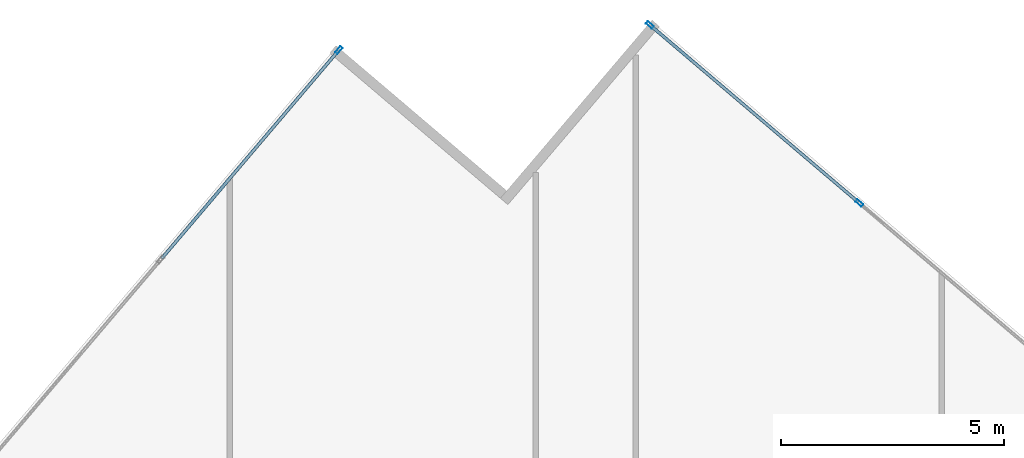
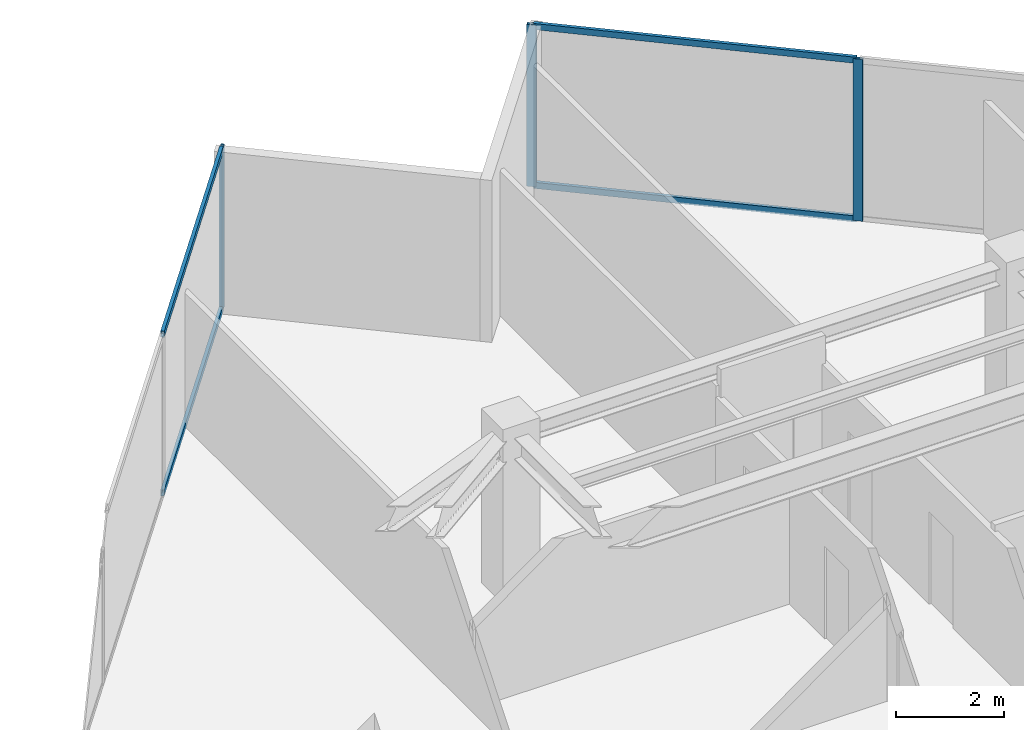
# One storey, part 18 of 25: 7 members, 2 elements without a shape of their own.
"""IFC4 building model written with IfcOpenShell, lengths in metres."""

import ifcopenshell
import ifcopenshell.guid

model = None  # the IFC model being written
_history = None  # IfcOwnerHistory: only IFC2X3 demands one
_inside = {}  # id of a spatial element -> (the spatial element, [elements in it])
_under = {}  # id of a project, library or spatial element -> (it, [spatial elements below it])
_declared = {}  # id of a project -> (the project, [libraries it declares])
_typed = {}  # id of a type object -> (the type object, [elements of that type])
_made_of = {}  # id of a material, layer set ... -> (it, [elements and type objects made of it])


def new_model(schema):
    """Start an empty IFC model of exactly this schema.

    Asked for "IFC4X3", IfcOpenShell would pick the latest addendum, in which some entities
    have other attributes; the version numbers below select the first issue.
    IFC2X3 requires an IfcOwnerHistory on every rooted entity: one is made here for all.
    """
    global model, _history
    if schema == "IFC4X3":
        model = ifcopenshell.file(schema_version=(4, 3, 0, 0))
    else:
        model = ifcopenshell.file(schema=schema)
    _inside.clear()
    _under.clear()
    _declared.clear()
    _typed.clear()
    _made_of.clear()
    _history = None
    if model.schema == "IFC2X3":
        org = make("IfcOrganization", Name="unknown")
        user = make(
            "IfcPersonAndOrganization",
            ThePerson=make("IfcPerson", FamilyName="unknown"),
            TheOrganization=org,
        )
        app = make(
            "IfcApplication",
            ApplicationDeveloper=org,
            Version="unknown",
            ApplicationFullName="unknown",
            ApplicationIdentifier="unknown",
        )
        _history = make(
            "IfcOwnerHistory",
            OwningUser=user,
            OwningApplication=app,
            ChangeAction="ADDED",
            CreationDate=0,
        )
    return model


def make(cls, **values):
    """One entity of the class cls with the attributes given. An attribute that is None is left unset."""
    return model.create_entity(
        cls, **{name: value for name, value in values.items() if value is not None}
    )


def rooted(cls, **values):
    """An entity with a GlobalId (a new one), such as an element, a storey or a relation."""
    return make(cls, GlobalId=ifcopenshell.guid.new(), OwnerHistory=_history, **values)


def si_unit(unit_type, name, prefix=None):
    """IfcSIUnit, for example si_unit("LENGTHUNIT", "METRE", prefix="MILLI")."""
    return make("IfcSIUnit", UnitType=unit_type, Prefix=prefix, Name=name)


def assignment(units):
    """IfcUnitAssignment: the units of a project."""
    return None if units is None else make("IfcUnitAssignment", Units=units)


def point(xyz):
    """IfcCartesianPoint."""
    return None if xyz is None else make("IfcCartesianPoint", Coordinates=xyz)


def direction(xyz):
    """IfcDirection."""
    return None if xyz is None else make("IfcDirection", DirectionRatios=xyz)


def frame(location, z_axis=None, x_axis=None):
    """IfcAxis2Placement3D, a coordinate frame: its origin and axes. An axis left out is left unset."""
    return make(
        "IfcAxis2Placement3D",
        Location=point(location),
        Axis=direction(z_axis),
        RefDirection=direction(x_axis),
    )


def frame_2d(location, x_axis=None):
    """IfcAxis2Placement2D, a coordinate frame in the plane: its origin and x axis."""
    return make(
        "IfcAxis2Placement2D", Location=point(location), RefDirection=direction(x_axis)
    )


def origin():
    """The frame at (0, 0, 0) with its axes left unset."""
    return frame((0.0, 0.0, 0.0))


def origin_2d():
    """The frame at (0, 0) in the plane with its x axis left unset."""
    return frame_2d((0.0, 0.0))


def place(relative_to, where):
    """IfcLocalPlacement: puts the frame where relative to a parent placement (None: the world)."""
    return make(
        "IfcLocalPlacement", PlacementRelTo=relative_to, RelativePlacement=where
    )


def context(
    kind, dimensions, precision=None, world=None, true_north=None, identifier=None
):
    """IfcGeometricRepresentationContext, for example the 3D "Model" context."""
    return make(
        "IfcGeometricRepresentationContext",
        ContextIdentifier=identifier,
        ContextType=kind,
        CoordinateSpaceDimension=dimensions,
        Precision=precision,
        WorldCoordinateSystem=world,
        TrueNorth=true_north,
    )


def subcontext(parent, identifier, kind, view, scale=None):
    """IfcGeometricRepresentationSubContext, for example "Body" below "Model"."""
    return make(
        "IfcGeometricRepresentationSubContext",
        ContextIdentifier=identifier,
        ContextType=kind,
        ParentContext=parent,
        TargetScale=scale,
        TargetView=view,
    )


def project(units=None, contexts=None):
    """IfcProject with its units and contexts."""
    return rooted(
        "IfcProject",
        Name="project",
        RepresentationContexts=contexts,
        UnitsInContext=assignment(units),
    )


def spatial(cls, under=None, at=None, **own):
    """A site, building, storey or space (cls), placed at a placement, below another one or the project."""
    s = rooted(cls, ObjectPlacement=at, **own)
    if under is not None:
        _under.setdefault(under.id(), (under, []))[1].append(s)
    return s


def profile(cls, at=None, kind="AREA", **sizes):
    """A parametric profile (cls). Its sizes go by their IFC names, for example OverallWidth=200.0."""
    return make(cls, ProfileType=kind, Position=at, **sizes)


def hollow_rectangle(**sizes):
    """IfcRectangleHollowProfileDef."""
    return profile("IfcRectangleHollowProfileDef", **sizes)


def extrude(swept, where, along, depth):
    """IfcExtrudedAreaSolid: the profile swept, set in the frame where, extruded along a direction by depth."""
    return make(
        "IfcExtrudedAreaSolid",
        SweptArea=swept,
        Position=where,
        ExtrudedDirection=direction(along),
        Depth=depth,
    )


def shape(context_of_items, identifier, shape_type, items):
    """IfcShapeRepresentation: the items that make up one representation, for example the "Body"."""
    return make(
        "IfcShapeRepresentation",
        ContextOfItems=context_of_items,
        RepresentationIdentifier=identifier,
        RepresentationType=shape_type,
        Items=items,
    )


def source(mapping_origin, context_of_items, identifier, shape_type, items):
    """IfcRepresentationMap: a shape defined once, which mapped items show again and again."""
    return make(
        "IfcRepresentationMap",
        MappingOrigin=mapping_origin,
        MappedRepresentation=shape(context_of_items, identifier, shape_type, items),
    )


def transform(
    local_origin,
    x_axis=None,
    y_axis=None,
    z_axis=None,
    scale=None,
    scale2=None,
    scale3=None,
    uniform=True,
):
    """IfcCartesianTransformationOperator3D, or its non-uniform kind. x_axis, y_axis, z_axis: its Axis1, 2, 3."""
    if uniform:
        return make(
            "IfcCartesianTransformationOperator3D",
            Axis1=direction(x_axis),
            Axis2=direction(y_axis),
            LocalOrigin=point(local_origin),
            Scale=scale,
            Axis3=direction(z_axis),
        )
    return make(
        "IfcCartesianTransformationOperator3DnonUniform",
        Axis1=direction(x_axis),
        Axis2=direction(y_axis),
        LocalOrigin=point(local_origin),
        Scale=scale,
        Axis3=direction(z_axis),
        Scale2=scale2,
        Scale3=scale3,
    )


def mapped(mapping_source, mapping_target):
    """IfcMappedItem: shows the shape of a source again, moved by a transform."""
    return make(
        "IfcMappedItem", MappingSource=mapping_source, MappingTarget=mapping_target
    )


def material(Name=None, Category=None):
    """IfcMaterial."""
    return make("IfcMaterial", Name=Name, Category=Category)


def material_profile(
    of_material, cross_section, Name=None, Category=None, Priority=None
):
    """IfcMaterialProfile: a cross section and its material."""
    return make(
        "IfcMaterialProfile",
        Name=Name,
        Material=of_material,
        Profile=cross_section,
        Priority=Priority,
        Category=Category,
    )


def profile_set(profiles, Name=None, composite=None):
    """IfcMaterialProfileSet."""
    return make(
        "IfcMaterialProfileSet",
        Name=Name,
        MaterialProfiles=profiles,
        CompositeProfile=composite,
    )


def made_of(thing, what):
    """Note that an element or type object is made of a material, layer set ...; save() writes the relation."""
    if what is not None:
        _made_of.setdefault(what.id(), (what, []))[1].append(thing)
    return thing


def type_object(cls, material=None, **own):
    """A type object (cls), such as IfcWallType, which elements share."""
    return made_of(rooted(cls, **own), material)


def type_shapes(of_type, sources):
    """Give a type object the sources (RepresentationMaps) that its elements show as mapped items."""
    of_type.RepresentationMaps = sources


def element(
    cls,
    number,
    at=None,
    inside=None,
    cuts=None,
    type_object=None,
    material=None,
    context=None,
    identifier="Body",
    shape_type=None,
    held_by="IfcProductDefinitionShape",
    body=None,
    shapes=None,
    **own,
):
    """One element of the class cls, such as IfcWall. Its Tag is "e" and its number.

    at: its placement. inside: the storey or other place that contains it. cuts: it is an
    opening in that element (IfcRelVoidsElement). A single representation is given by context,
    identifier, shape_type and body (its items); several are given by shapes. held_by: the class
    of the entity that holds the representations. save() writes the other relations.
    """
    e = rooted(cls, Tag="e%d" % number, ObjectPlacement=at, **own)
    if body is not None:
        shapes = [shape(context, identifier, shape_type, body)]
    if shapes is not None:
        e.Representation = make(held_by, Representations=shapes)
    if inside is not None:
        _inside.setdefault(inside.id(), (inside, []))[1].append(e)
    if cuts is not None:
        rooted(
            "IfcRelVoidsElement", RelatingBuildingElement=cuts, RelatedOpeningElement=e
        )
    if type_object is not None:
        _typed.setdefault(type_object.id(), (type_object, []))[1].append(e)
    return made_of(e, material)


def aggregate(whole, parts):
    """IfcRelAggregates: a whole, such as a stair, and the parts it consists of."""
    return rooted("IfcRelAggregates", RelatingObject=whole, RelatedObjects=parts)


def save(model, path):
    """Write the relations noted so far, then the file.

    IfcRelAggregates (storeys below a building ...), IfcRelContainedInSpatialStructure (elements
    in a storey), IfcRelDefinesByType, IfcRelAssociatesMaterial and IfcRelDeclares: one each for
    every whole, place, type object, material and project.
    """
    for whole, parts in _under.values():
        aggregate(whole, parts)
    for where, things in _inside.values():
        rooted(
            "IfcRelContainedInSpatialStructure",
            RelatedElements=things,
            RelatingStructure=where,
        )
    for kind, things in _typed.values():
        rooted("IfcRelDefinesByType", RelatedObjects=things, RelatingType=kind)
    for what, things in _made_of.values():
        rooted("IfcRelAssociatesMaterial", RelatedObjects=things, RelatingMaterial=what)
    for by, libraries in _declared.values():
        rooted("IfcRelDeclares", RelatingContext=by, RelatedDefinitions=libraries)
    model.write(path)


model = new_model("IFC4")

# Units and contexts
model_context = context("Model", 3, precision=1e-05, world=origin(), true_north=direction((0.0, 1.0)))
body_context = subcontext(model_context, "Body", "Model", "MODEL_VIEW")
ifc_project = project(units=[si_unit("LENGTHUNIT", "METRE"), si_unit("AREAUNIT", "SQUARE_METRE"), si_unit("VOLUMEUNIT", "CUBIC_METRE"), si_unit("PLANEANGLEUNIT", "RADIAN"), si_unit("MASSUNIT", "GRAM", prefix="KILO")], contexts=[model_context])

# Site, building, storey
site_placement = place(None, origin())
site = spatial("IfcSite", under=ifc_project, at=site_placement, CompositionType="ELEMENT")
building_placement = place(site_placement, origin())
building = spatial("IfcBuilding", under=site, at=building_placement, Name="Krantzveldt Concourse Tower", CompositionType="ELEMENT")
storey_placement = place(building_placement, frame((0.0, 0.0, 215.199951171875)))
storey = spatial("IfcBuildingStorey", under=building, at=storey_placement, Name="L52", CompositionType="ELEMENT", Elevation=215.199951171875)

# Curtain wall, member
ifc_material = material(Name="Anodised aluminium 6063-T6", Category="aluminium")
curtain_wall_type = type_object("IfcCurtainWallType", Name="CW3", PredefinedType="USERDEFINED", material=ifc_material)
curtain_wall_1_placement = place(storey_placement, origin())
curtain_wall_1 = element("IfcCurtainWall", 1, at=curtain_wall_1_placement, inside=storey, type_object=curtain_wall_type, Name="CW-L52-F01", ObjectType="UNITISED CURTAIN WALL", PredefinedType="USERDEFINED")
ifc_material_profile_1 = material_profile(ifc_material, hollow_rectangle(XDim=0.070068359375, YDim=0.179931640625, WallThickness=0.0048828125, at=origin_2d()), Name="Anodised aluminium 6063-T6", Category="aluminium")
ifc_profile_set_1 = profile_set([ifc_material_profile_1], Name="Anodised aluminium 6063-T6 - ALU-MULL 180x70x5")
member_type_1 = type_object("IfcMemberType", Name="CW-MUL-180", PredefinedType="MULLION", material=ifc_profile_set_1)
shared_shape_1 = source(origin(), body_context, "Body", "SweptSolid", [
    extrude(hollow_rectangle(XDim=0.070068359375, YDim=0.179931640625, WallThickness=0.0048828125, at=origin_2d()), origin(), (0.0, 0.0, 1.0), 3.670166015625),
])
type_shapes(member_type_1, [shared_shape_1])
member_1_placement = place(storey_placement, frame((30.46923828125, 51.702880859375, 0.0), z_axis=(0.0, 0.0, 1.0), x_axis=(0.761820912327, -0.647787694805, 0.0)))
member_1 = element("IfcMember", 2, at=member_1_placement, type_object=member_type_1, Name="CW-Z34 mullion 1", PredefinedType="MULLION", context=body_context, shape_type="MappedRepresentation", body=[
    mapped(shared_shape_1, transform((0.0, 0.0, 0.0), x_axis=(1.0, 0.0, 0.0), y_axis=(0.0, 1.0, 0.0), z_axis=(0.0, 0.0, 1.0), scale=1.0)),
])

# Curtain wall, members
curtain_wall_2_placement = place(storey_placement, origin())
curtain_wall_2 = element("IfcCurtainWall", 3, at=curtain_wall_2_placement, inside=storey, type_object=curtain_wall_type, Name="CW-L52-F10", ObjectType="UNITISED CURTAIN WALL", PredefinedType="USERDEFINED")
member_2_placement = place(storey_placement, frame((42.136474609375, 48.273193359375, 0.0), z_axis=(0.0, 0.0, 1.0), x_axis=(-0.647787694805, -0.761820912327, 0.0)))
member_2 = element("IfcMember", 4, at=member_2_placement, type_object=member_type_1, Name="CW-Z34 mullion 5", PredefinedType="MULLION", context=body_context, shape_type="MappedRepresentation", body=[
    mapped(shared_shape_1, transform((0.0, 0.0, 0.0), x_axis=(1.0, 0.0, 0.0), y_axis=(0.0, 1.0, 0.0), z_axis=(0.0, 0.0, 1.0), scale=1.0)),
])
member_3_placement = place(storey_placement, frame((37.439697265625, 52.266845703125, 0.0), z_axis=(0.0, 0.0, 1.0), x_axis=(-0.647787694805, -0.761820912327, 0.0)))
member_3 = element("IfcMember", 5, at=member_3_placement, type_object=member_type_1, Name="CW-Z34 mullion 6", PredefinedType="MULLION", context=body_context, shape_type="MappedRepresentation", body=[
    mapped(shared_shape_1, transform((0.0, 0.0, 0.0), x_axis=(1.0, 0.0, 0.0), y_axis=(0.0, 1.0, 0.0), z_axis=(0.0, 0.0, 1.0), scale=1.0)),
])

# Member
ifc_material_profile_2 = material_profile(ifc_material, hollow_rectangle(XDim=0.070068359375, YDim=0.139892578125, WallThickness=0.0048828125, at=origin_2d()), Name="Anodised aluminium 6063-T6", Category="aluminium")
ifc_profile_set_2 = profile_set([ifc_material_profile_2], Name="Anodised aluminium 6063-T6 - ALU-TRAN 140x70x5")
member_type_2 = type_object("IfcMemberType", Name="CW-TRN-150", PredefinedType="USERDEFINED", material=ifc_profile_set_2)
shared_shape_2 = source(origin(), body_context, "Body", "SweptSolid", [
    extrude(hollow_rectangle(XDim=0.070068359375, YDim=0.139892578125, WallThickness=0.0048828125, at=origin_2d()), origin(), (0.0, 0.0, 1.0), 6.094970703125),
])
type_shapes(member_type_2, [shared_shape_2])
member_4_placement = place(storey_placement, frame((30.446533203125, 51.67626953125, 0.03515625), z_axis=(-0.64778444877, -0.761823672468, 0.0), x_axis=(0.761823672468, -0.64778444877, 0.0)))
member_4 = element("IfcMember", 6, at=member_4_placement, type_object=member_type_2, Name="CW-Z34 transom 1.1", ObjectType="TRANSOM", PredefinedType="USERDEFINED", context=body_context, shape_type="MappedRepresentation", body=[
    mapped(shared_shape_2, transform((0.0, 0.0, 0.0), x_axis=(1.0, 0.0, 0.0), y_axis=(0.0, 1.0, 0.0), z_axis=(0.0, 0.0, 1.0), scale=1.0)),
])

member_5_placement = place(storey_placement, frame((30.446533203125, 51.67626953125, 3.635009765625), z_axis=(-0.64778444877, -0.761823672468, 0.0), x_axis=(0.761823672468, -0.64778444877, 0.0)))
member_5 = element("IfcMember", 7, at=member_5_placement, type_object=member_type_2, Name="CW-Z34 transom 1.2", ObjectType="TRANSOM", PredefinedType="USERDEFINED", context=body_context, shape_type="MappedRepresentation", body=[
    mapped(shared_shape_2, transform((0.0, 0.0, 0.0), x_axis=(1.0, 0.0, 0.0), y_axis=(0.0, 1.0, 0.0), z_axis=(0.0, 0.0, 1.0), scale=1.0)),
])

aggregate(curtain_wall_1, [member_1, member_4, member_5])

member_6_placement = place(storey_placement, frame((42.10986328125, 48.2958984375, 0.03515625), z_axis=(-0.761823672468, 0.64778444877, 0.0), x_axis=(-0.64778444877, -0.761823672468, 0.0)))
member_6 = element("IfcMember", 8, at=member_6_placement, type_object=member_type_2, Name="CW-Z34 transom 5.1", ObjectType="TRANSOM", PredefinedType="USERDEFINED", context=body_context, shape_type="MappedRepresentation", body=[
    mapped(shared_shape_2, transform((0.0, 0.0, 0.0), x_axis=(1.0, 0.0, 0.0), y_axis=(0.0, 1.0, 0.0), z_axis=(0.0, 0.0, 1.0), scale=1.0)),
])

member_7_placement = place(storey_placement, frame((42.10986328125, 48.2958984375, 3.635009765625), z_axis=(-0.761823672468, 0.64778444877, 0.0), x_axis=(-0.64778444877, -0.761823672468, 0.0)))
member_7 = element("IfcMember", 9, at=member_7_placement, type_object=member_type_2, Name="CW-Z34 transom 5.2", ObjectType="TRANSOM", PredefinedType="USERDEFINED", context=body_context, shape_type="MappedRepresentation", body=[
    mapped(shared_shape_2, transform((0.0, 0.0, 0.0), x_axis=(1.0, 0.0, 0.0), y_axis=(0.0, 1.0, 0.0), z_axis=(0.0, 0.0, 1.0), scale=1.0)),
])

aggregate(curtain_wall_2, [member_2, member_3, member_6, member_7])

save(model, "model.ifc")
